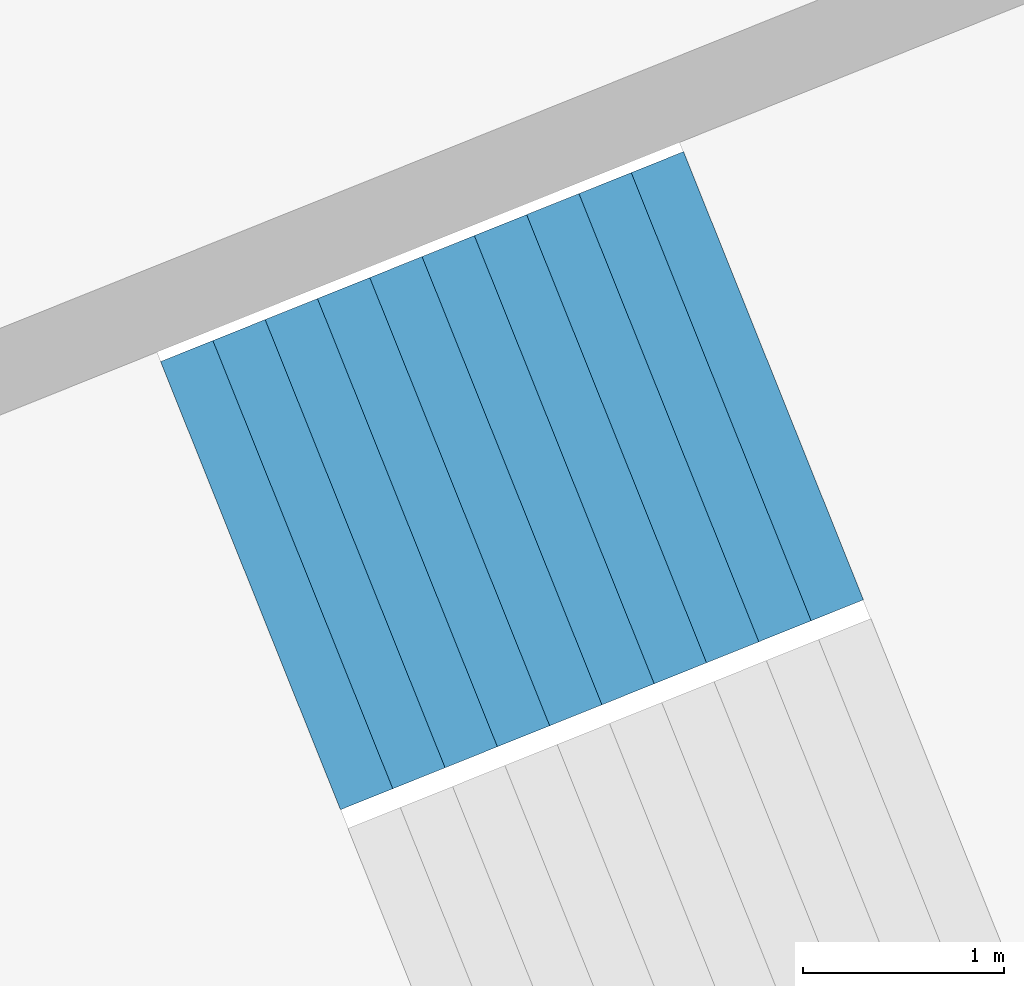
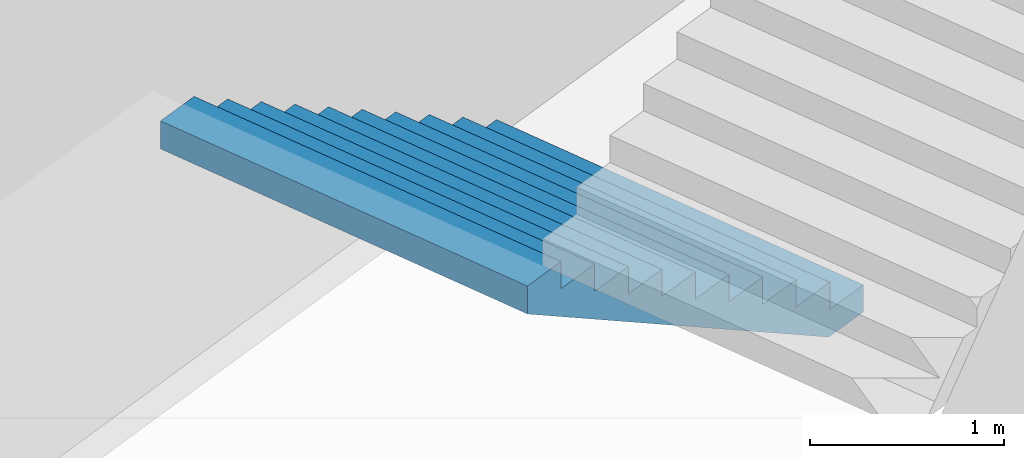
# One storey, part 20 of 73: 1 stair flight, 1 element without a shape of its own.
"""IFC4 building model written with IfcOpenShell, lengths in metres."""

from ifc_helpers import new_model, si_unit, direction, frame, origin, place, context, subcontext, project, spatial, triangles, material, type_object, element, aggregate, save


model = new_model("IFC4")

# Units and contexts
model_context = context("Model", 3, precision=1e-05, world=origin(), true_north=direction((0.0, 1.0)))
body_context = subcontext(model_context, "Body", "Model", "MODEL_VIEW")
ifc_project = project(units=[si_unit("LENGTHUNIT", "METRE"), si_unit("AREAUNIT", "SQUARE_METRE"), si_unit("VOLUMEUNIT", "CUBIC_METRE"), si_unit("PLANEANGLEUNIT", "RADIAN"), si_unit("MASSUNIT", "GRAM", prefix="KILO")], contexts=[model_context])

# Site, building, storey
site_placement = place(None, origin())
site = spatial("IfcSite", under=ifc_project, at=site_placement, CompositionType="ELEMENT")
building_placement = place(site_placement, origin())
building = spatial("IfcBuilding", under=site, at=building_placement, Name="Lantaw Convention Tower", CompositionType="ELEMENT")
storey_placement = place(building_placement, frame((0.0, 0.0, 14.5)))
storey = spatial("IfcBuildingStorey", under=building, at=storey_placement, Name="L02", CompositionType="ELEMENT", Elevation=14.5)

# Stair, stair flight
ifc_material = material(Name="Concrete C35/45", Category="concrete")
stair_type = type_object("IfcStairType", Name="Exit stair 2400 riser 170.45 in 4 flights", PredefinedType="HALF_TURN_STAIR", material=ifc_material)
stair_placement = place(storey_placement, origin())
stair = element("IfcStair", 1, at=stair_placement, inside=storey, type_object=stair_type, Name="Podium exit stair P11 L02", PredefinedType="HALF_TURN_STAIR")
stair_flight_type = type_object("IfcStairFlightType", Name="Stair flight 2400 riser 170.45", PredefinedType="STRAIGHT", material=ifc_material)
stair_flight_placement = place(storey_placement, frame((-30.017578125, -10.703369140625, 0.0), z_axis=(0.0, 0.0, 1.0), x_axis=(-0.928015168305, -0.372542410198, 0.0)))
stair_flight = element("IfcStairFlight", 2, at=stair_flight_placement, type_object=stair_flight_type, Name="P11 flight 1", NumberOfRisers=11, NumberOfTreads=10, PredefinedType="STRAIGHT", RiserHeight=0.170454545, TreadLength=0.28, context=body_context, shape_type="Tessellation", body=[
    triangles([(0.0, 1.199951171875, 0.0), (0.0, 1.199951171875, 0.170454545), (0.28, 1.199951171875, 0.0), (0.28, 1.199951171875, 0.170454545), (0.28, 1.199951171875, 0.34090909), (0.28827876332691904, 1.199951171875, 0.0), (0.28827876332691904, 1.199951171875, 0.34090909), (0.56, 1.199951171875, 0.16541471344266906), (0.56, 1.199951171875, 0.34090909), (0.56, 1.199951171875, 0.511363635), (0.8400000000000001, 1.199951171875, 0.335869258442669), (0.8400000000000001, 1.199951171875, 0.511363635), (0.8400000000000001, 1.199951171875, 0.68181818), (1.12, 1.199951171875, 0.506323803442669), (1.12, 1.199951171875, 0.68181818), (1.12, 1.199951171875, 0.8522727250000001), (1.4000000000000001, 1.199951171875, 0.676778348442669), (1.4000000000000001, 1.199951171875, 0.8522727250000001), (1.4000000000000001, 1.199951171875, 1.02272727), (1.6800000000000002, 1.199951171875, 0.847232893442669), (1.6800000000000002, 1.199951171875, 1.02272727), (1.6800000000000002, 1.199951171875, 1.193181815), (1.9600000000000002, 1.199951171875, 1.017687438442669), (1.9600000000000002, 1.199951171875, 1.193181815), (1.9600000000000002, 1.199951171875, 1.36363636), (2.24, 1.199951171875, 1.188141983442669), (2.24, 1.199951171875, 1.36363636), (2.24, 1.199951171875, 1.5340909050000002), (2.5200000000000005, 1.199951171875, 1.358596528442669), (2.5200000000000005, 1.199951171875, 1.5340909050000002), (2.5200000000000005, 1.199951171875, 1.7045454500000001), (2.8000000000000003, 1.199951171875, 1.529051073442669), (2.8000000000000003, 1.199951171875, 1.7045454500000001), (0.0, -1.199951171875, 0.0), (0.0, -1.199951171875, 0.170454545), (0.28, -1.199951171875, 0.0), (0.28, -1.199951171875, 0.170454545), (0.28, -1.199951171875, 0.34090909), (0.28827876332691904, -1.199951171875, 0.0), (0.28827876332691904, -1.199951171875, 0.34090909), (0.56, -1.199951171875, 0.16541471344266906), (0.56, -1.199951171875, 0.34090909), (0.56, -1.199951171875, 0.511363635), (0.8400000000000001, -1.199951171875, 0.335869258442669), (0.8400000000000001, -1.199951171875, 0.511363635), (0.8400000000000001, -1.199951171875, 0.68181818), (1.12, -1.199951171875, 0.506323803442669), (1.12, -1.199951171875, 0.68181818), (1.12, -1.199951171875, 0.8522727250000001), (1.4000000000000001, -1.199951171875, 0.676778348442669), (1.4000000000000001, -1.199951171875, 0.8522727250000001), (1.4000000000000001, -1.199951171875, 1.02272727), (1.6800000000000002, -1.199951171875, 0.847232893442669), (1.6800000000000002, -1.199951171875, 1.02272727), (1.6800000000000002, -1.199951171875, 1.193181815), (1.9600000000000002, -1.199951171875, 1.017687438442669), (1.9600000000000002, -1.199951171875, 1.193181815), (1.9600000000000002, -1.199951171875, 1.36363636), (2.24, -1.199951171875, 1.188141983442669), (2.24, -1.199951171875, 1.36363636), (2.24, -1.199951171875, 1.5340909050000002), (2.5200000000000005, -1.199951171875, 1.358596528442669), (2.5200000000000005, -1.199951171875, 1.5340909050000002), (2.5200000000000005, -1.199951171875, 1.7045454500000001), (2.8000000000000003, -1.199951171875, 1.529051073442669), (2.8000000000000003, -1.199951171875, 1.7045454500000001), (0.0, 0.239990234375, 0.170454545), (0.0, 0.239990234375, 0.0), (0.0, 0.1199951171875, 0.170454545), (0.0, 0.1199951171875, 0.0), (0.0, 0.0, 0.170454545), (0.0, 0.0, 0.0), (0.0, -0.1199951171875, 0.170454545), (0.0, -0.1199951171875, 0.0), (0.0, -0.239990234375, 0.170454545), (0.0, -0.239990234375, 0.0), (0.28, 0.239990234375, 0.34090909), (0.28, 0.239990234375, 0.170454545), (0.28, 0.1199951171875, 0.34090909), (0.28, 0.1199951171875, 0.170454545), (0.28, 0.0, 0.34090909), (0.28, 0.0, 0.170454545), (0.28, -0.1199951171875, 0.34090909), (0.28, -0.1199951171875, 0.170454545), (0.28, -0.239990234375, 0.34090909), (0.28, -0.239990234375, 0.170454545), (0.56, 0.239990234375, 0.511363635), (0.56, 0.239990234375, 0.34090909), (0.56, 0.1199951171875, 0.511363635), (0.56, 0.1199951171875, 0.34090909), (0.56, 0.0, 0.511363635), (0.56, 0.0, 0.34090909), (0.56, -0.1199951171875, 0.511363635), (0.56, -0.1199951171875, 0.34090909), (0.56, -0.239990234375, 0.511363635), (0.56, -0.239990234375, 0.34090909), (0.8400000000000001, 0.239990234375, 0.68181818), (0.8400000000000001, 0.239990234375, 0.511363635), (0.8400000000000001, 0.1199951171875, 0.68181818), (0.8400000000000001, 0.1199951171875, 0.511363635), (0.8400000000000001, 0.0, 0.68181818), (0.8400000000000001, 0.0, 0.511363635), (0.8400000000000001, -0.1199951171875, 0.68181818), (0.8400000000000001, -0.1199951171875, 0.511363635), (0.8400000000000001, -0.239990234375, 0.68181818), (0.8400000000000001, -0.239990234375, 0.511363635), (1.12, 0.239990234375, 0.8522727250000001), (1.12, 0.239990234375, 0.68181818), (1.12, 0.1199951171875, 0.8522727250000001), (1.12, 0.1199951171875, 0.68181818), (1.12, 0.0, 0.8522727250000001), (1.12, 0.0, 0.68181818), (1.12, -0.1199951171875, 0.8522727250000001), (1.12, -0.1199951171875, 0.68181818), (1.12, -0.239990234375, 0.8522727250000001), (1.12, -0.239990234375, 0.68181818), (1.4000000000000001, 0.239990234375, 1.02272727), (1.4000000000000001, 0.239990234375, 0.8522727250000001), (1.4000000000000001, 0.1199951171875, 1.02272727), (1.4000000000000001, 0.1199951171875, 0.8522727250000001), (1.4000000000000001, 0.0, 1.02272727), (1.4000000000000001, 0.0, 0.8522727250000001), (1.4000000000000001, -0.1199951171875, 1.02272727), (1.4000000000000001, -0.1199951171875, 0.8522727250000001), (1.4000000000000001, -0.239990234375, 1.02272727), (1.4000000000000001, -0.239990234375, 0.8522727250000001), (1.6800000000000002, 0.239990234375, 1.193181815), (1.6800000000000002, 0.239990234375, 1.02272727), (1.6800000000000002, 0.1199951171875, 1.193181815), (1.6800000000000002, 0.1199951171875, 1.02272727), (1.6800000000000002, 0.0, 1.193181815), (1.6800000000000002, 0.0, 1.02272727), (1.6800000000000002, -0.1199951171875, 1.193181815), (1.6800000000000002, -0.1199951171875, 1.02272727), (1.6800000000000002, -0.239990234375, 1.193181815), (1.6800000000000002, -0.239990234375, 1.02272727), (1.9600000000000002, 0.239990234375, 1.36363636), (1.9600000000000002, 0.239990234375, 1.193181815), (1.9600000000000002, 0.1199951171875, 1.36363636), (1.9600000000000002, 0.1199951171875, 1.193181815), (1.9600000000000002, 0.0, 1.36363636), (1.9600000000000002, 0.0, 1.193181815), (1.9600000000000002, -0.1199951171875, 1.36363636), (1.9600000000000002, -0.1199951171875, 1.193181815), (1.9600000000000002, -0.239990234375, 1.36363636), (1.9600000000000002, -0.239990234375, 1.193181815), (2.24, 0.239990234375, 1.5340909050000002), (2.24, 0.239990234375, 1.36363636), (2.24, 0.1199951171875, 1.5340909050000002), (2.24, 0.1199951171875, 1.36363636), (2.24, 0.0, 1.5340909050000002), (2.24, 0.0, 1.36363636), (2.24, -0.1199951171875, 1.5340909050000002), (2.24, -0.1199951171875, 1.36363636), (2.24, -0.239990234375, 1.5340909050000002), (2.24, -0.239990234375, 1.36363636), (2.5200000000000005, 0.239990234375, 1.7045454500000001), (2.5200000000000005, 0.239990234375, 1.5340909050000002), (2.5200000000000005, 0.1199951171875, 1.7045454500000001), (2.5200000000000005, 0.1199951171875, 1.5340909050000002), (2.5200000000000005, 0.0, 1.7045454500000001), (2.5200000000000005, 0.0, 1.5340909050000002), (2.5200000000000005, -0.1199951171875, 1.7045454500000001), (2.5200000000000005, -0.1199951171875, 1.5340909050000002), (2.5200000000000005, -0.239990234375, 1.7045454500000001), (2.5200000000000005, -0.239990234375, 1.5340909050000002), (0.28827876332691904, 0.239990234375, 0.34090909), (0.28827876332691904, 0.1199951171875, 0.34090909), (0.28827876332691904, 0.0, 0.34090909), (0.28827876332691904, -0.1199951171875, 0.34090909), (0.28827876332691904, -0.239990234375, 0.34090909), (2.8000000000000003, 0.239990234375, 1.7045454500000001), (2.8000000000000003, 0.1199951171875, 1.7045454500000001), (2.8000000000000003, 0.0, 1.7045454500000001), (2.8000000000000003, -0.1199951171875, 1.7045454500000001), (2.8000000000000003, -0.239990234375, 1.7045454500000001), (2.8000000000000003, 0.239990234375, 1.5290510734426692), (2.8000000000000003, 0.1199951171875, 1.5290510734426692), (2.8000000000000003, 0.0, 1.5290510734426692), (2.8000000000000003, -0.1199951171875, 1.5290510734426692), (2.8000000000000003, -0.239990234375, 1.5290510734426692), (2.5200000000000005, 0.239990234375, 1.358596528442669), (2.5200000000000005, 0.1199951171875, 1.358596528442669), (2.5200000000000005, 0.0, 1.358596528442669), (2.5200000000000005, -0.1199951171875, 1.358596528442669), (2.5200000000000005, -0.239990234375, 1.358596528442669), (2.24, 0.239990234375, 1.188141983442669), (2.24, 0.1199951171875, 1.188141983442669), (2.24, 0.0, 1.188141983442669), (2.24, -0.1199951171875, 1.188141983442669), (2.24, -0.239990234375, 1.188141983442669), (1.9600000000000002, 0.239990234375, 1.017687438442669), (1.9600000000000002, 0.1199951171875, 1.017687438442669), (1.9600000000000002, 0.0, 1.017687438442669), (1.9600000000000002, -0.1199951171875, 1.017687438442669), (1.9600000000000002, -0.239990234375, 1.017687438442669), (1.6800000000000002, 0.239990234375, 0.847232893442669), (1.6800000000000002, 0.1199951171875, 0.847232893442669), (1.6800000000000002, 0.0, 0.847232893442669), (1.6800000000000002, -0.1199951171875, 0.847232893442669), (1.6800000000000002, -0.239990234375, 0.847232893442669), (1.4000000000000001, 0.239990234375, 0.676778348442669), (1.4000000000000001, 0.1199951171875, 0.676778348442669), (1.4000000000000001, 0.0, 0.676778348442669), (1.4000000000000001, -0.1199951171875, 0.676778348442669), (1.4000000000000001, -0.239990234375, 0.676778348442669), (1.12, 0.239990234375, 0.506323803442669), (1.12, 0.1199951171875, 0.506323803442669), (1.12, 0.0, 0.506323803442669), (1.12, -0.1199951171875, 0.506323803442669), (1.12, -0.239990234375, 0.506323803442669), (0.8400000000000001, 0.239990234375, 0.335869258442669), (0.8400000000000001, 0.1199951171875, 0.335869258442669), (0.8400000000000001, 0.0, 0.335869258442669), (0.8400000000000001, -0.1199951171875, 0.335869258442669), (0.8400000000000001, -0.239990234375, 0.335869258442669), (0.56, 0.239990234375, 0.16541471344266906), (0.56, 0.1199951171875, 0.16541471344266906), (0.56, 0.0, 0.16541471344266906), (0.56, -0.1199951171875, 0.16541471344266906), (0.56, -0.239990234375, 0.16541471344266906), (0.28827876332691904, 0.239990234375, 0.0), (0.28827876332691904, 0.1199951171875, 0.0), (0.28827876332691904, 0.0, 0.0), (0.28827876332691904, -0.1199951171875, 0.0), (0.28827876332691904, -0.239990234375, 0.0), (0.28, 0.239990234375, 0.0), (0.28, 0.1199951171875, 0.0), (0.28, 0.0, 0.0), (0.28, -0.1199951171875, 0.0), (0.28, -0.239990234375, 0.0)], [[1, 4, 3], [1, 2, 4], [3, 4, 6], [4, 7, 6], [4, 5, 7], [6, 9, 8], [6, 7, 9], [8, 9, 11], [9, 12, 11], [9, 10, 12], [11, 12, 14], [12, 15, 14], [12, 13, 15], [14, 15, 17], [15, 18, 17], [15, 16, 18], [17, 18, 20], [18, 21, 20], [18, 19, 21], [20, 21, 23], [21, 24, 23], [21, 22, 24], [23, 24, 26], [24, 27, 26], [24, 25, 27], [26, 27, 29], [27, 30, 29], [27, 28, 30], [29, 30, 32], [30, 33, 32], [30, 31, 33], [34, 36, 37], [34, 37, 35], [36, 39, 37], [37, 39, 40], [37, 40, 38], [39, 41, 42], [39, 42, 40], [41, 44, 42], [42, 44, 45], [42, 45, 43], [44, 47, 45], [45, 47, 48], [45, 48, 46], [47, 50, 48], [48, 50, 51], [48, 51, 49], [50, 53, 51], [51, 53, 54], [51, 54, 52], [53, 56, 54], [54, 56, 57], [54, 57, 55], [56, 59, 57], [57, 59, 60], [57, 60, 58], [59, 62, 60], [60, 62, 63], [60, 63, 61], [62, 65, 63], [63, 65, 66], [63, 66, 64], [1, 67, 2], [1, 68, 67], [68, 69, 67], [68, 70, 69], [70, 71, 69], [70, 72, 71], [72, 73, 71], [72, 74, 73], [74, 75, 73], [74, 76, 75], [76, 35, 75], [76, 34, 35], [4, 77, 5], [4, 78, 77], [78, 79, 77], [78, 80, 79], [80, 81, 79], [80, 82, 81], [82, 83, 81], [82, 84, 83], [84, 85, 83], [84, 86, 85], [86, 38, 85], [86, 37, 38], [9, 87, 10], [9, 88, 87], [88, 89, 87], [88, 90, 89], [90, 91, 89], [90, 92, 91], [92, 93, 91], [92, 94, 93], [94, 95, 93], [94, 96, 95], [96, 43, 95], [96, 42, 43], [12, 97, 13], [12, 98, 97], [98, 99, 97], [98, 100, 99], [100, 101, 99], [100, 102, 101], [102, 103, 101], [102, 104, 103], [104, 105, 103], [104, 106, 105], [106, 46, 105], [106, 45, 46], [15, 107, 16], [15, 108, 107], [108, 109, 107], [108, 110, 109], [110, 111, 109], [110, 112, 111], [112, 113, 111], [112, 114, 113], [114, 115, 113], [114, 116, 115], [116, 49, 115], [116, 48, 49], [18, 117, 19], [18, 118, 117], [118, 119, 117], [118, 120, 119], [120, 121, 119], [120, 122, 121], [122, 123, 121], [122, 124, 123], [124, 125, 123], [124, 126, 125], [126, 52, 125], [126, 51, 52], [21, 127, 22], [21, 128, 127], [128, 129, 127], [128, 130, 129], [130, 131, 129], [130, 132, 131], [132, 133, 131], [132, 134, 133], [134, 135, 133], [134, 136, 135], [136, 55, 135], [136, 54, 55], [24, 137, 25], [24, 138, 137], [138, 139, 137], [138, 140, 139], [140, 141, 139], [140, 142, 141], [142, 143, 141], [142, 144, 143], [144, 145, 143], [144, 146, 145], [146, 58, 145], [146, 57, 58], [27, 147, 28], [27, 148, 147], [148, 149, 147], [148, 150, 149], [150, 151, 149], [150, 152, 151], [152, 153, 151], [152, 154, 153], [154, 155, 153], [154, 156, 155], [156, 61, 155], [156, 60, 61], [30, 157, 31], [30, 158, 157], [158, 159, 157], [158, 160, 159], [160, 161, 159], [160, 162, 161], [162, 163, 161], [162, 164, 163], [164, 165, 163], [164, 166, 165], [166, 64, 165], [166, 63, 64], [2, 78, 4], [2, 67, 78], [67, 80, 78], [67, 69, 80], [69, 82, 80], [69, 71, 82], [71, 84, 82], [71, 73, 84], [73, 86, 84], [73, 75, 86], [75, 37, 86], [75, 35, 37], [5, 167, 7], [5, 77, 167], [77, 168, 167], [77, 79, 168], [79, 169, 168], [79, 81, 169], [81, 170, 169], [81, 83, 170], [83, 171, 170], [83, 85, 171], [85, 40, 171], [85, 38, 40], [7, 88, 9], [7, 167, 88], [167, 90, 88], [167, 168, 90], [168, 92, 90], [168, 169, 92], [169, 94, 92], [169, 170, 94], [170, 96, 94], [170, 171, 96], [171, 42, 96], [171, 40, 42], [10, 98, 12], [10, 87, 98], [87, 100, 98], [87, 89, 100], [89, 102, 100], [89, 91, 102], [91, 104, 102], [91, 93, 104], [93, 106, 104], [93, 95, 106], [95, 45, 106], [95, 43, 45], [13, 108, 15], [13, 97, 108], [97, 110, 108], [97, 99, 110], [99, 112, 110], [99, 101, 112], [101, 114, 112], [101, 103, 114], [103, 116, 114], [103, 105, 116], [105, 48, 116], [105, 46, 48], [16, 118, 18], [16, 107, 118], [107, 120, 118], [107, 109, 120], [109, 122, 120], [109, 111, 122], [111, 124, 122], [111, 113, 124], [113, 126, 124], [113, 115, 126], [115, 51, 126], [115, 49, 51], [19, 128, 21], [19, 117, 128], [117, 130, 128], [117, 119, 130], [119, 132, 130], [119, 121, 132], [121, 134, 132], [121, 123, 134], [123, 136, 134], [123, 125, 136], [125, 54, 136], [125, 52, 54], [22, 138, 24], [22, 127, 138], [127, 140, 138], [127, 129, 140], [129, 142, 140], [129, 131, 142], [131, 144, 142], [131, 133, 144], [133, 146, 144], [133, 135, 146], [135, 57, 146], [135, 55, 57], [25, 148, 27], [25, 137, 148], [137, 150, 148], [137, 139, 150], [139, 152, 150], [139, 141, 152], [141, 154, 152], [141, 143, 154], [143, 156, 154], [143, 145, 156], [145, 60, 156], [145, 58, 60], [28, 158, 30], [28, 147, 158], [147, 160, 158], [147, 149, 160], [149, 162, 160], [149, 151, 162], [151, 164, 162], [151, 153, 164], [153, 166, 164], [153, 155, 166], [155, 63, 166], [155, 61, 63], [31, 172, 33], [31, 157, 172], [157, 173, 172], [157, 159, 173], [159, 174, 173], [159, 161, 174], [161, 175, 174], [161, 163, 175], [163, 176, 175], [163, 165, 176], [165, 66, 176], [165, 64, 66], [33, 177, 32], [33, 172, 177], [172, 178, 177], [172, 173, 178], [173, 179, 178], [173, 174, 179], [174, 180, 179], [174, 175, 180], [175, 181, 180], [175, 176, 181], [176, 65, 181], [176, 66, 65], [32, 182, 29], [32, 177, 182], [177, 183, 182], [177, 178, 183], [178, 184, 183], [178, 179, 184], [179, 185, 184], [179, 180, 185], [180, 186, 185], [180, 181, 186], [181, 62, 186], [181, 65, 62], [29, 187, 26], [29, 182, 187], [182, 188, 187], [182, 183, 188], [183, 189, 188], [183, 184, 189], [184, 190, 189], [184, 185, 190], [185, 191, 190], [185, 186, 191], [186, 59, 191], [186, 62, 59], [26, 192, 23], [26, 187, 192], [187, 193, 192], [187, 188, 193], [188, 194, 193], [188, 189, 194], [189, 195, 194], [189, 190, 195], [190, 196, 195], [190, 191, 196], [191, 56, 196], [191, 59, 56], [23, 197, 20], [23, 192, 197], [192, 198, 197], [192, 193, 198], [193, 199, 198], [193, 194, 199], [194, 200, 199], [194, 195, 200], [195, 201, 200], [195, 196, 201], [196, 53, 201], [196, 56, 53], [20, 202, 17], [20, 197, 202], [197, 203, 202], [197, 198, 203], [198, 204, 203], [198, 199, 204], [199, 205, 204], [199, 200, 205], [200, 206, 205], [200, 201, 206], [201, 50, 206], [201, 53, 50], [17, 207, 14], [17, 202, 207], [202, 208, 207], [202, 203, 208], [203, 209, 208], [203, 204, 209], [204, 210, 209], [204, 205, 210], [205, 211, 210], [205, 206, 211], [206, 47, 211], [206, 50, 47], [14, 212, 11], [14, 207, 212], [207, 213, 212], [207, 208, 213], [208, 214, 213], [208, 209, 214], [209, 215, 214], [209, 210, 215], [210, 216, 215], [210, 211, 216], [211, 44, 216], [211, 47, 44], [11, 217, 8], [11, 212, 217], [212, 218, 217], [212, 213, 218], [213, 219, 218], [213, 214, 219], [214, 220, 219], [214, 215, 220], [215, 221, 220], [215, 216, 221], [216, 41, 221], [216, 44, 41], [8, 222, 6], [8, 217, 222], [217, 223, 222], [217, 218, 223], [218, 224, 223], [218, 219, 224], [219, 225, 224], [219, 220, 225], [220, 226, 225], [220, 221, 226], [221, 39, 226], [221, 41, 39], [6, 227, 3], [6, 222, 227], [222, 228, 227], [222, 223, 228], [223, 229, 228], [223, 224, 229], [224, 230, 229], [224, 225, 230], [225, 231, 230], [225, 226, 231], [226, 36, 231], [226, 39, 36], [3, 68, 1], [3, 227, 68], [227, 70, 68], [227, 228, 70], [228, 72, 70], [228, 229, 72], [229, 74, 72], [229, 230, 74], [230, 76, 74], [230, 231, 76], [231, 34, 76], [231, 36, 34]], closed=True),
])
aggregate(stair, [stair_flight])

save(model, "model.ifc")
